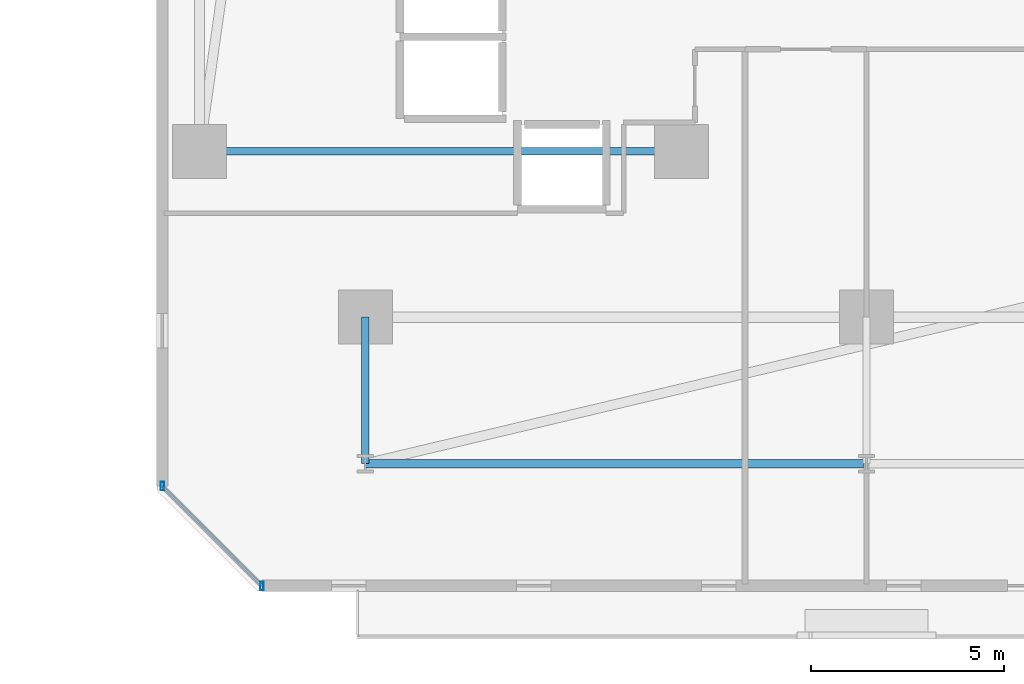
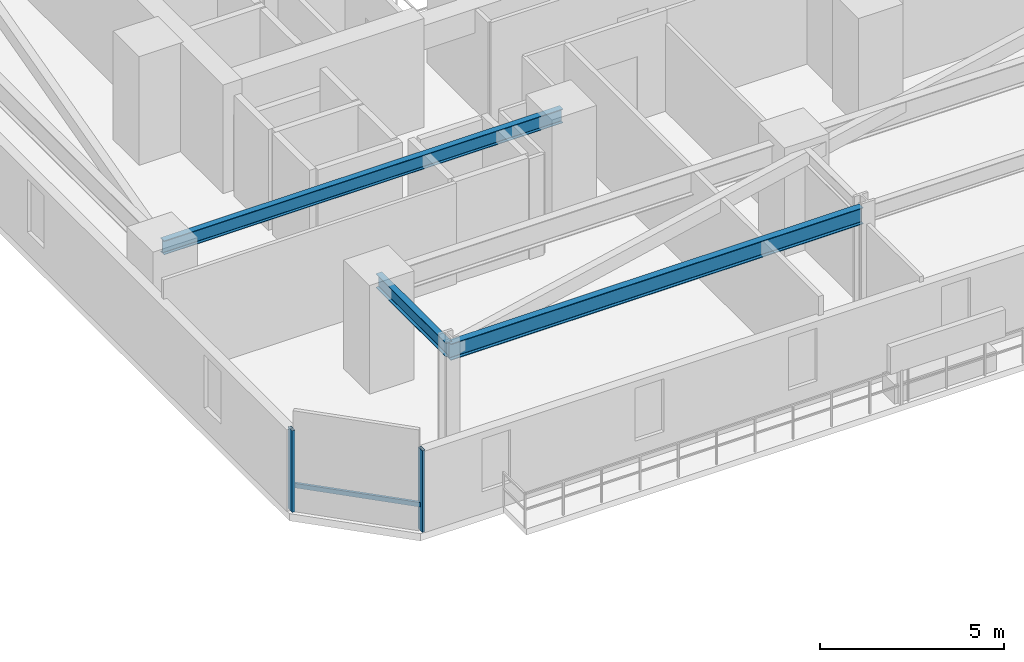
# One storey, part 10 of 33: 3 beams, 3 members, 1 element without a shape of its own.
"""IFC4 building model written with IfcOpenShell, lengths in metres."""

from ifc_helpers import new_model, si_unit, direction, frame, origin, origin_2d, place, context, subcontext, project, spatial, hollow_rectangle, i_section, extrude, material, material_profile, profile_set, type_object, element, aggregate, save


model = new_model("IFC4")

# Units and contexts
model_context = context("Model", 3, precision=1e-05, world=origin(), true_north=direction((0.0, 1.0)))
body_context = subcontext(model_context, "Body", "Model", "MODEL_VIEW")
ifc_project = project(units=[si_unit("LENGTHUNIT", "METRE"), si_unit("AREAUNIT", "SQUARE_METRE"), si_unit("VOLUMEUNIT", "CUBIC_METRE"), si_unit("PLANEANGLEUNIT", "RADIAN"), si_unit("MASSUNIT", "GRAM", prefix="KILO")], contexts=[model_context])

# Site, building, storey
site_placement = place(None, origin())
site = spatial("IfcSite", under=ifc_project, at=site_placement, CompositionType="ELEMENT")
building_placement = place(site_placement, origin())
building = spatial("IfcBuilding", under=site, at=building_placement, Name="Thornwick Lancets Civic Towers", CompositionType="ELEMENT")
storey_placement = place(building_placement, frame((0.0, 0.0, 42.300048828125)))
storey = spatial("IfcBuildingStorey", under=building, at=storey_placement, Name="L10", CompositionType="ELEMENT", Elevation=42.300048828125)

# Beams
ifc_material_1 = material(Name="Steel S355JR", Category="steel")
ifc_material_profile_1 = material_profile(ifc_material_1, i_section(OverallWidth=0.2119140625, OverallDepth=0.54443359375, WebThickness=0.0126953125, FlangeThickness=0.021240234375, FilletRadius=0.0126953125, at=origin_2d()), Name="UKB 533x210x122")
ifc_profile_set_1 = profile_set([ifc_material_profile_1], Name="Steel S355JR")
beam_type_1 = type_object("IfcBeamType", Name="BM_EDGE_533_122", PredefinedType="SPANDREL", material=ifc_profile_set_1)
beam_1_placement = place(storey_placement, frame((88.419921875, 5.89990234375, 3.087646484375), z_axis=(-1.0, 0.0, 0.0), x_axis=(0.0, -1.0, 0.0)))
element("IfcBeam", 1, at=beam_1_placement, inside=storey, type_object=beam_type_1, Name="BM-EDGE-L10-B-S3-2", PredefinedType="SPANDREL", context=body_context, shape_type="SweptSolid", body=[
    extrude(i_section(OverallWidth=0.2119140625, OverallDepth=0.54443359375, WebThickness=0.0126953125, FlangeThickness=0.021240234375, FilletRadius=0.0126953125, at=origin_2d()), origin(), (0.0, 0.0, 1.0), 12.919921875),
])
ifc_material_profile_2 = material_profile(ifc_material_1, i_section(OverallWidth=0.19189453125, OverallDepth=0.46337890625, WebThickness=0.010498046875, FlangeThickness=0.017578125, FilletRadius=0.01025390625, at=origin_2d()), Name="UKB 457x191x89")
ifc_profile_set_2 = profile_set([ifc_material_profile_2], Name="Steel S355JR")
beam_type_2 = type_object("IfcBeamType", Name="BM_JOIST_457_89", PredefinedType="JOIST", material=ifc_profile_set_2)
beam_2_placement = place(storey_placement, frame((83.699951171875, 14.0, 3.128173828125), z_axis=(-1.0, 0.0, 0.0), x_axis=(0.0, -1.0, 0.0)))
element("IfcBeam", 2, at=beam_2_placement, inside=storey, type_object=beam_type_2, Name="BM-RADIN-L10-B07", PredefinedType="JOIST", context=body_context, shape_type="SweptSolid", body=[
    extrude(i_section(OverallWidth=0.19189453125, OverallDepth=0.46337890625, WebThickness=0.010498046875, FlangeThickness=0.017578125, FilletRadius=0.01025390625, at=origin_2d()), origin(), (0.0, 0.0, 1.0), 12.5),
])
beam_3_placement = place(storey_placement, frame((75.5, 9.699951171875, 3.128173828125), z_axis=(0.0, -1.0, 0.0), x_axis=(1.0, 0.0, 0.0)))
element("IfcBeam", 3, at=beam_3_placement, inside=storey, type_object=beam_type_2, Name="BM-RAD-L10-B12", PredefinedType="JOIST", context=body_context, shape_type="SweptSolid", body=[
    extrude(i_section(OverallWidth=0.19189453125, OverallDepth=0.46337890625, WebThickness=0.010498046875, FlangeThickness=0.017578125, FilletRadius=0.01025390625, at=origin_2d()), origin(), (0.0, 0.0, 1.0), 3.800048828125),
])

# Curtain wall, members
ifc_material_2 = material(Name="Low-zone chamfered-corner unitised glass curtain wall", Category="glass")
curtain_wall_type = type_object("IfcCurtainWallType", Name="CW_SYS_03", PredefinedType="NOTDEFINED", material=ifc_material_2)
curtain_wall_placement = place(storey_placement, origin())
curtain_wall = element("IfcCurtainWall", 4, at=curtain_wall_placement, inside=storey, type_object=curtain_wall_type, Name="L10 Curtain Wall CW-L10-B-E7", PredefinedType="NOTDEFINED")
ifc_material_3 = material(Name="Thermally broken bronze aluminium S355", Category="steel")
ifc_material_profile_3 = material_profile(ifc_material_3, hollow_rectangle(XDim=0.090087890625, YDim=0.219970703125, WallThickness=0.00634765625, at=origin_2d()), Name="RHS 220x90x6.3")
ifc_profile_set_3 = profile_set([ifc_material_profile_3], Name="Thermally broken bronze aluminium S355")
member_type_1 = type_object("IfcMemberType", Name="CW_MUL_220", PredefinedType="MULLION", material=ifc_profile_set_3)
member_1_placement = place(storey_placement, frame((70.235107421875, 5.31884765625, 0.0), z_axis=(0.0, 0.0, 1.0), x_axis=(1.0, 0.0, 0.0)))
member_1 = element("IfcMember", 5, at=member_1_placement, type_object=member_type_1, Name="CW-L10-B-E7 Mullion 0", PredefinedType="MULLION", context=body_context, shape_type="SweptSolid", body=[
    extrude(hollow_rectangle(XDim=0.090087890625, YDim=0.219970703125, WallThickness=0.00634765625, at=origin_2d()), origin(), (0.0, 0.0, 1.0), 2.699951171875),
])
member_2_placement = place(storey_placement, frame((72.81884765625, 2.735107421875, 0.0), z_axis=(0.0, 0.0, 1.0), x_axis=(1.0, 0.0, 0.0)))
member_2 = element("IfcMember", 6, at=member_2_placement, type_object=member_type_1, Name="CW-L10-B-E7 Mullion 1", PredefinedType="MULLION", context=body_context, shape_type="SweptSolid", body=[
    extrude(hollow_rectangle(XDim=0.090087890625, YDim=0.219970703125, WallThickness=0.00634765625, at=origin_2d()), origin(), (0.0, 0.0, 1.0), 2.699951171875),
])
ifc_material_profile_4 = material_profile(ifc_material_3, hollow_rectangle(XDim=0.074951171875, YDim=0.14990234375, WallThickness=0.0048828125, at=origin_2d()), Name="RHS 150x75x5")
ifc_profile_set_4 = profile_set([ifc_material_profile_4], Name="Thermally broken bronze aluminium S355")
member_type_2 = type_object("IfcMemberType", Name="CW_TRN_150", PredefinedType="USERDEFINED", material=ifc_profile_set_4)
member_3_placement = place(storey_placement, frame((70.249267578125, 5.3046875, 0.849853515625), z_axis=(0.707106781187, -0.707106781187, 0.0), x_axis=(0.707106781187, 0.707106781187, 0.0)))
member_3 = element("IfcMember", 7, at=member_3_placement, type_object=member_type_2, Name="CW-L10-B-E7 Transom 0", ObjectType="TRANSOM", PredefinedType="USERDEFINED", context=body_context, shape_type="SweptSolid", body=[
    extrude(hollow_rectangle(XDim=0.074951171875, YDim=0.14990234375, WallThickness=0.0048828125, at=origin_2d()), origin(), (0.0, 0.0, 1.0), 3.614013671875),
])
aggregate(curtain_wall, [member_1, member_2, member_3])

save(model, "model.ifc")
